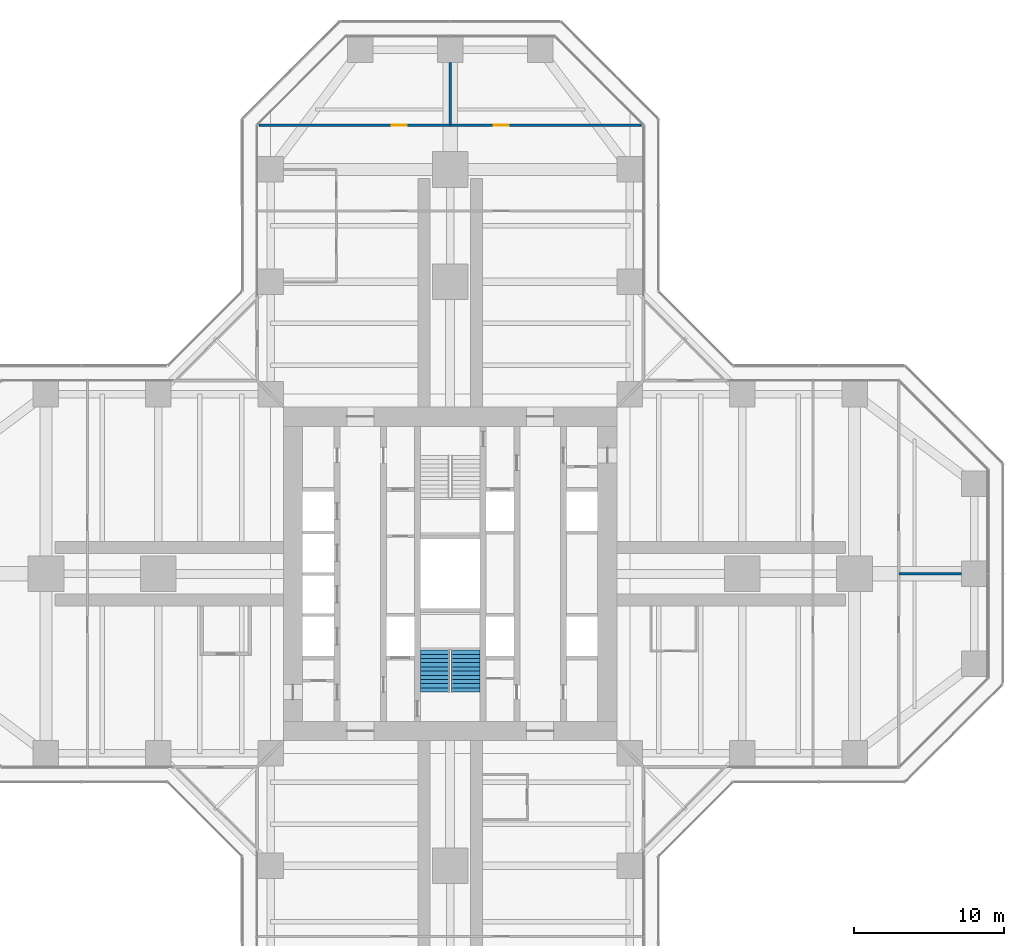
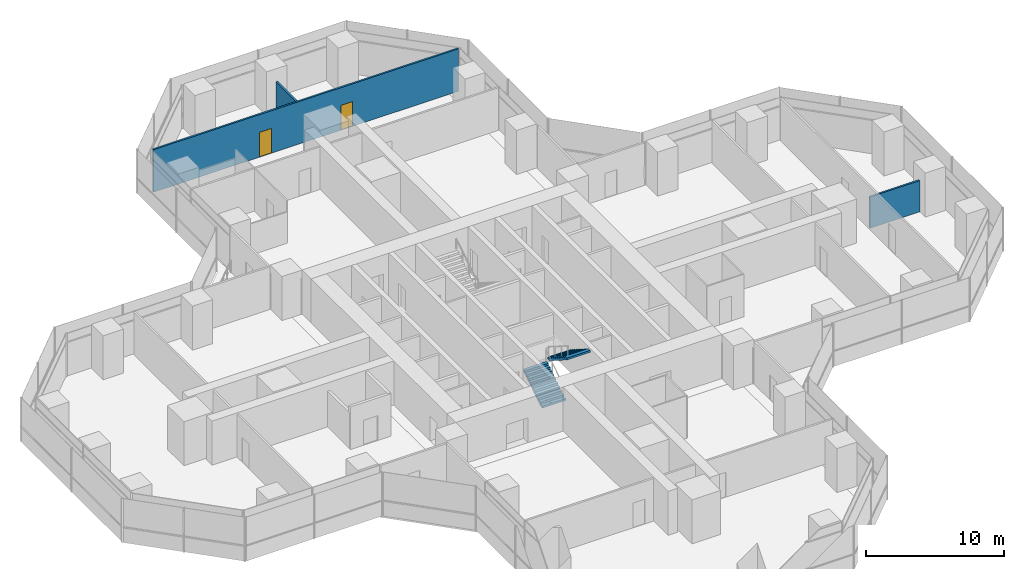
# One storey, part 20 of 22: 3 walls, 2 doors, 2 stair flights, 2 openings, 1 element without a shape of its own.
"""IFC4 building model written with IfcOpenShell, lengths in metres."""

from ifc_helpers import new_model, si_unit, direction, frame, frame_2d, origin, place, context, subcontext, project, spatial, polyline, rectangle, outline, extrude, material, layer, layer_set, type_object, element, fill, aggregate, save


model = new_model("IFC4")

# Units and contexts
model_context = context("Model", 3, precision=1e-05, world=origin(), true_north=direction((0.0, 1.0)))
body_context = subcontext(model_context, "Body", "Model", "MODEL_VIEW")
ifc_project = project(units=[si_unit("LENGTHUNIT", "METRE"), si_unit("AREAUNIT", "SQUARE_METRE"), si_unit("VOLUMEUNIT", "CUBIC_METRE"), si_unit("PLANEANGLEUNIT", "RADIAN"), si_unit("MASSUNIT", "GRAM", prefix="KILO")], contexts=[model_context])

# Site, building, storey
site_placement = place(None, origin())
site = spatial("IfcSite", under=ifc_project, at=site_placement, CompositionType="ELEMENT")
building_placement = place(site_placement, origin())
building = spatial("IfcBuilding", under=site, at=building_placement, Name="Mizan Broadcast Tower", CompositionType="ELEMENT")
storey_placement = place(building_placement, frame((0.0, 0.0, 105.89990234375)))
storey = spatial("IfcBuildingStorey", under=building, at=storey_placement, Name="L23", CompositionType="ELEMENT", Elevation=105.89990234375)

# Wall
ifc_material_1 = material(Name="Gypsum board on steel studs", Category="steel")
ifc_layer = layer(ifc_material_1, 0.14990234375)
ifc_layer_set = layer_set([ifc_layer], Name="Gypsum board on steel studs")
wall_type = type_object("IfcWallType", Name="PARTITION 150", PredefinedType="PARTITIONING", material=ifc_layer_set)
wall_1_placement = place(storey_placement, frame((29.958984375, 0.0, 0.0), z_axis=(0.0, 0.0, 1.0), x_axis=(1.0, 0.0, 0.0)))
element("IfcWall", 1, at=wall_1_placement, inside=storey, type_object=wall_type, Name="Partition PT/EES", PredefinedType="PARTITIONING", context=body_context, shape_type="SweptSolid", body=[
    extrude(rectangle(XDim=4.19091796875, YDim=0.14990234375, at=frame_2d((2.095458984375, 0.0))), origin(), (0.0, 0.0, 1.0), 2.77001953125),
])

# Wall, openings, doors
wall_2_placement = place(storey_placement, frame((12.786376953125, 29.958984375, 0.0), z_axis=(0.0, 0.0, 1.0), x_axis=(-1.0, 0.0, 0.0)))
wall_2 = element("IfcWall", 2, at=wall_2_placement, inside=storey, type_object=wall_type, Name="Partition PT/NX2", PredefinedType="PARTITIONING", context=body_context, shape_type="SweptSolid", body=[
    extrude(rectangle(XDim=25.57275390625, YDim=0.14990234375, at=frame_2d((12.786376953125, 0.0))), origin(), (0.0, 0.0, 1.0), 3.77001953125),
])
opening_1_placement = place(wall_2_placement, frame((15.6865234375, 0.0, 0.0)))
opening_1 = element("IfcOpeningElement", 3, at=opening_1_placement, cuts=wall_2, Name="Opening D10", PredefinedType="OPENING", context=body_context, shape_type="SweptSolid", body=[
    extrude(rectangle(XDim=1.0, YDim=2.199951171875, at=frame_2d((0.5, 1.10009765625))), frame((0.0, 0.0849609375, 0.0), z_axis=(0.0, -1.0, 0.0), x_axis=(1.0, 0.0, 0.0)), (0.0, 0.0, 1.0), 0.169921875),
])
opening_2_placement = place(wall_2_placement, frame((8.886474609375, 0.0, 0.0)))
opening_2 = element("IfcOpeningElement", 4, at=opening_2_placement, cuts=wall_2, Name="Opening D10", PredefinedType="OPENING", context=body_context, shape_type="SweptSolid", body=[
    extrude(rectangle(XDim=1.0, YDim=2.199951171875, at=frame_2d((0.5, 1.10009765625))), frame((0.0, 0.0849609375, 0.0), z_axis=(0.0, -1.0, 0.0), x_axis=(1.0, 0.0, 0.0)), (0.0, 0.0, 1.0), 0.169921875),
])
ifc_material_2 = material(Name="Timber door leaf in aluminium frame", Category="wood")
door_type = type_object("IfcDoorType", Name="ROOM DOOR 1000", OperationType="SINGLE_SWING_LEFT", PredefinedType="DOOR", material=ifc_material_2)
door_1_placement = place(opening_1_placement, origin())
door_1 = element("IfcDoor", 5, at=door_1_placement, inside=storey, type_object=door_type, Name="Open office door", OperationType="SINGLE_SWING_RIGHT", OverallHeight=2.199951171875, OverallWidth=1.0, PredefinedType="DOOR", context=body_context, shape_type="SweptSolid", body=[
    extrude(rectangle(XDim=1.0, YDim=2.199951171875, at=frame_2d((0.5, 1.10009765625))), frame((0.0, 0.02490234375, 0.0), z_axis=(0.0, -1.0, 0.0), x_axis=(1.0, 0.0, 0.0)), (0.0, 0.0, 1.0), 0.050048828125),
])
fill(opening_1, door_1)
door_2_placement = place(opening_2_placement, origin())
door_2 = element("IfcDoor", 6, at=door_2_placement, inside=storey, type_object=door_type, Name="Open office door", OperationType="SINGLE_SWING_LEFT", OverallHeight=2.199951171875, OverallWidth=1.0, PredefinedType="DOOR", context=body_context, shape_type="SweptSolid", body=[
    extrude(rectangle(XDim=1.0, YDim=2.199951171875, at=frame_2d((0.5, 1.10009765625))), frame((0.0, 0.02490234375, 0.0), z_axis=(0.0, -1.0, 0.0), x_axis=(1.0, 0.0, 0.0)), (0.0, 0.0, 1.0), 0.050048828125),
])
fill(opening_2, door_2)

# Wall
wall_3_placement = place(storey_placement, frame((0.0, 29.958984375, 0.0), z_axis=(0.0, 0.0, 1.0), x_axis=(0.0, 1.0, 0.0)))
element("IfcWall", 7, at=wall_3_placement, inside=storey, type_object=wall_type, Name="Partition PT/NES", PredefinedType="PARTITIONING", context=body_context, shape_type="SweptSolid", body=[
    extrude(rectangle(XDim=4.19091796875, YDim=0.14990234375, at=frame_2d((2.095458984375, 0.0))), origin(), (0.0, 0.0, 1.0), 2.77001953125),
])

# Stair, stair flights
ifc_material_3 = material(Name="Concrete C40/50", Category="concrete")
stair_type = type_object("IfcStairType", Name="EXIT STAIR", PredefinedType="HALF_TURN_STAIR", material=ifc_material_3)
stair_placement = place(storey_placement, origin())
stair = element("IfcStair", 8, at=stair_placement, inside=storey, type_object=stair_type, Name="Stair A L23", PredefinedType="HALF_TURN_STAIR")
ifc_material_4 = material(Name="Concrete C40/50", Category="concrete")
stair_flight_type = type_object("IfcStairFlightType", Name="EXIT STAIR FLIGHT", PredefinedType="STRAIGHT", material=ifc_material_4)
stair_flight_1_placement = place(storey_placement, frame((-1.02490234375, -7.89990234375, 0.0), z_axis=(0.0, 0.0, 1.0), x_axis=(0.0, 1.0, 0.0)))
stair_flight_1 = element("IfcStairFlight", 9, at=stair_flight_1_placement, type_object=stair_flight_type, Name="A flight 1", NumberOfRisers=11, NumberOfTreads=10, PredefinedType="STRAIGHT", RiserHeight=0.177272727, TreadLength=0.28, context=body_context, shape_type="SweptSolid", body=[
    extrude(outline(polyline([(0.0, 0.0), (0.0, 0.17724609375), (0.280029296875, 0.17724609375), (0.280029296875, 0.3544921875), (0.56005859375, 0.3544921875), (0.56005859375, 0.53173828125), (0.840087890625, 0.53173828125), (0.840087890625, 0.708984375), (1.1201171875, 0.708984375), (1.1201171875, 0.886474609375), (1.39990234375, 0.886474609375), (1.39990234375, 1.063720703125), (1.679931640625, 1.063720703125), (1.679931640625, 1.240966796875), (1.9599609375, 1.240966796875), (1.9599609375, 1.418212890625), (2.239990234375, 1.418212890625), (2.239990234375, 1.595458984375), (2.52001953125, 1.595458984375), (2.52001953125, 1.772705078125), (2.800048828125, 1.772705078125), (2.800048828125, 1.949951171875), (2.800048828125, 1.59521484375), (0.2802734375, 0.0), (0.0, 0.0)])), frame((0.0, 0.97509765625, 0.0), z_axis=(0.0, -1.0, 0.0), x_axis=(1.0, 0.0, 0.0)), (0.0, 0.0, 1.0), 0.4873046875),
    extrude(outline(polyline([(0.0, 0.0), (0.0, 0.17724609375), (0.280029296875, 0.17724609375), (0.280029296875, 0.3544921875), (0.56005859375, 0.3544921875), (0.56005859375, 0.53173828125), (0.840087890625, 0.53173828125), (0.840087890625, 0.708984375), (1.1201171875, 0.708984375), (1.1201171875, 0.886474609375), (1.39990234375, 0.886474609375), (1.39990234375, 1.063720703125), (1.679931640625, 1.063720703125), (1.679931640625, 1.240966796875), (1.9599609375, 1.240966796875), (1.9599609375, 1.418212890625), (2.239990234375, 1.418212890625), (2.239990234375, 1.595458984375), (2.52001953125, 1.595458984375), (2.52001953125, 1.772705078125), (2.800048828125, 1.772705078125), (2.800048828125, 1.949951171875), (2.800048828125, 1.59521484375), (0.2802734375, 0.0), (0.0, 0.0)])), frame((0.0, 0.4873046875, 0.0), z_axis=(0.0, -1.0, 0.0), x_axis=(1.0, 0.0, 0.0)), (0.0, 0.0, 1.0), 0.2431640625),
    extrude(outline(polyline([(0.0, 0.0), (0.0, 0.17724609375), (0.280029296875, 0.17724609375), (0.280029296875, 0.3544921875), (0.56005859375, 0.3544921875), (0.56005859375, 0.53173828125), (0.840087890625, 0.53173828125), (0.840087890625, 0.708984375), (1.1201171875, 0.708984375), (1.1201171875, 0.886474609375), (1.39990234375, 0.886474609375), (1.39990234375, 1.063720703125), (1.679931640625, 1.063720703125), (1.679931640625, 1.240966796875), (1.9599609375, 1.240966796875), (1.9599609375, 1.418212890625), (2.239990234375, 1.418212890625), (2.239990234375, 1.595458984375), (2.52001953125, 1.595458984375), (2.52001953125, 1.772705078125), (2.800048828125, 1.772705078125), (2.800048828125, 1.949951171875), (2.800048828125, 1.59521484375), (0.2802734375, 0.0), (0.0, 0.0)])), frame((0.0, 0.24365234375, 0.0), z_axis=(0.0, -1.0, 0.0), x_axis=(1.0, 0.0, 0.0)), (0.0, 0.0, 1.0), 0.121337890625),
    extrude(outline(polyline([(0.0, 0.0), (0.0, 0.17724609375), (0.280029296875, 0.17724609375), (0.280029296875, 0.3544921875), (0.56005859375, 0.3544921875), (0.56005859375, 0.53173828125), (0.840087890625, 0.53173828125), (0.840087890625, 0.708984375), (1.1201171875, 0.708984375), (1.1201171875, 0.886474609375), (1.39990234375, 0.886474609375), (1.39990234375, 1.063720703125), (1.679931640625, 1.063720703125), (1.679931640625, 1.240966796875), (1.9599609375, 1.240966796875), (1.9599609375, 1.418212890625), (2.239990234375, 1.418212890625), (2.239990234375, 1.595458984375), (2.52001953125, 1.595458984375), (2.52001953125, 1.772705078125), (2.800048828125, 1.772705078125), (2.800048828125, 1.949951171875), (2.800048828125, 1.59521484375), (0.2802734375, 0.0), (0.0, 0.0)])), frame((0.0, 0.121826171875, 0.0), z_axis=(0.0, -1.0, 0.0), x_axis=(1.0, 0.0, 0.0)), (0.0, 0.0, 1.0), 0.060546875),
    extrude(outline(polyline([(0.0, 0.0), (0.0, 0.17724609375), (0.280029296875, 0.17724609375), (0.280029296875, 0.3544921875), (0.56005859375, 0.3544921875), (0.56005859375, 0.53173828125), (0.840087890625, 0.53173828125), (0.840087890625, 0.708984375), (1.1201171875, 0.708984375), (1.1201171875, 0.886474609375), (1.39990234375, 0.886474609375), (1.39990234375, 1.063720703125), (1.679931640625, 1.063720703125), (1.679931640625, 1.240966796875), (1.9599609375, 1.240966796875), (1.9599609375, 1.418212890625), (2.239990234375, 1.418212890625), (2.239990234375, 1.595458984375), (2.52001953125, 1.595458984375), (2.52001953125, 1.772705078125), (2.800048828125, 1.772705078125), (2.800048828125, 1.949951171875), (2.800048828125, 1.59521484375), (0.2802734375, 0.0), (0.0, 0.0)])), frame((0.0, 0.060791015625, 0.0), z_axis=(0.0, -1.0, 0.0), x_axis=(1.0, 0.0, 0.0)), (0.0, 0.0, 1.0), 0.030029296875),
    extrude(outline(polyline([(0.0, 0.0), (0.0, 0.17724609375), (0.280029296875, 0.17724609375), (0.280029296875, 0.3544921875), (0.56005859375, 0.3544921875), (0.56005859375, 0.53173828125), (0.840087890625, 0.53173828125), (0.840087890625, 0.708984375), (1.1201171875, 0.708984375), (1.1201171875, 0.886474609375), (1.39990234375, 0.886474609375), (1.39990234375, 1.063720703125), (1.679931640625, 1.063720703125), (1.679931640625, 1.240966796875), (1.9599609375, 1.240966796875), (1.9599609375, 1.418212890625), (2.239990234375, 1.418212890625), (2.239990234375, 1.595458984375), (2.52001953125, 1.595458984375), (2.52001953125, 1.772705078125), (2.800048828125, 1.772705078125), (2.800048828125, 1.949951171875), (2.800048828125, 1.59521484375), (0.2802734375, 0.0), (0.0, 0.0)])), frame((0.0, 0.0302734375, 0.0), z_axis=(0.0, -1.0, 0.0), x_axis=(1.0, 0.0, 0.0)), (0.0, 0.0, 1.0), 0.060302734375),
    extrude(outline(polyline([(0.0, 0.0), (0.0, 0.17724609375), (0.280029296875, 0.17724609375), (0.280029296875, 0.3544921875), (0.56005859375, 0.3544921875), (0.56005859375, 0.53173828125), (0.840087890625, 0.53173828125), (0.840087890625, 0.708984375), (1.1201171875, 0.708984375), (1.1201171875, 0.886474609375), (1.39990234375, 0.886474609375), (1.39990234375, 1.063720703125), (1.679931640625, 1.063720703125), (1.679931640625, 1.240966796875), (1.9599609375, 1.240966796875), (1.9599609375, 1.418212890625), (2.239990234375, 1.418212890625), (2.239990234375, 1.595458984375), (2.52001953125, 1.595458984375), (2.52001953125, 1.772705078125), (2.800048828125, 1.772705078125), (2.800048828125, 1.949951171875), (2.800048828125, 1.59521484375), (0.2802734375, 0.0), (0.0, 0.0)])), frame((0.0, -0.030517578125, 0.0), z_axis=(0.0, -1.0, 0.0), x_axis=(1.0, 0.0, 0.0)), (0.0, 0.0, 1.0), 0.030029296875),
    extrude(outline(polyline([(0.0, 0.0), (0.0, 0.17724609375), (0.280029296875, 0.17724609375), (0.280029296875, 0.3544921875), (0.56005859375, 0.3544921875), (0.56005859375, 0.53173828125), (0.840087890625, 0.53173828125), (0.840087890625, 0.708984375), (1.1201171875, 0.708984375), (1.1201171875, 0.886474609375), (1.39990234375, 0.886474609375), (1.39990234375, 1.063720703125), (1.679931640625, 1.063720703125), (1.679931640625, 1.240966796875), (1.9599609375, 1.240966796875), (1.9599609375, 1.418212890625), (2.239990234375, 1.418212890625), (2.239990234375, 1.595458984375), (2.52001953125, 1.595458984375), (2.52001953125, 1.772705078125), (2.800048828125, 1.772705078125), (2.800048828125, 1.949951171875), (2.800048828125, 1.59521484375), (0.2802734375, 0.0), (0.0, 0.0)])), frame((0.0, -0.06103515625, 0.0), z_axis=(0.0, -1.0, 0.0), x_axis=(1.0, 0.0, 0.0)), (0.0, 0.0, 1.0), 0.060546875),
    extrude(outline(polyline([(0.0, 0.0), (0.0, 0.17724609375), (0.280029296875, 0.17724609375), (0.280029296875, 0.3544921875), (0.56005859375, 0.3544921875), (0.56005859375, 0.53173828125), (0.840087890625, 0.53173828125), (0.840087890625, 0.708984375), (1.1201171875, 0.708984375), (1.1201171875, 0.886474609375), (1.39990234375, 0.886474609375), (1.39990234375, 1.063720703125), (1.679931640625, 1.063720703125), (1.679931640625, 1.240966796875), (1.9599609375, 1.240966796875), (1.9599609375, 1.418212890625), (2.239990234375, 1.418212890625), (2.239990234375, 1.595458984375), (2.52001953125, 1.595458984375), (2.52001953125, 1.772705078125), (2.800048828125, 1.772705078125), (2.800048828125, 1.949951171875), (2.800048828125, 1.59521484375), (0.2802734375, 0.0), (0.0, 0.0)])), frame((0.0, -0.1220703125, 0.0), z_axis=(0.0, -1.0, 0.0), x_axis=(1.0, 0.0, 0.0)), (0.0, 0.0, 1.0), 0.121337890625),
    extrude(outline(polyline([(0.0, 0.0), (0.0, 0.17724609375), (0.280029296875, 0.17724609375), (0.280029296875, 0.3544921875), (0.56005859375, 0.3544921875), (0.56005859375, 0.53173828125), (0.840087890625, 0.53173828125), (0.840087890625, 0.708984375), (1.1201171875, 0.708984375), (1.1201171875, 0.886474609375), (1.39990234375, 0.886474609375), (1.39990234375, 1.063720703125), (1.679931640625, 1.063720703125), (1.679931640625, 1.240966796875), (1.9599609375, 1.240966796875), (1.9599609375, 1.418212890625), (2.239990234375, 1.418212890625), (2.239990234375, 1.595458984375), (2.52001953125, 1.595458984375), (2.52001953125, 1.772705078125), (2.800048828125, 1.772705078125), (2.800048828125, 1.949951171875), (2.800048828125, 1.59521484375), (0.2802734375, 0.0), (0.0, 0.0)])), frame((0.0, -0.243896484375, 0.0), z_axis=(0.0, -1.0, 0.0), x_axis=(1.0, 0.0, 0.0)), (0.0, 0.0, 1.0), 0.2431640625),
    extrude(outline(polyline([(0.0, 0.0), (0.0, 0.17724609375), (0.280029296875, 0.17724609375), (0.280029296875, 0.3544921875), (0.56005859375, 0.3544921875), (0.56005859375, 0.53173828125), (0.840087890625, 0.53173828125), (0.840087890625, 0.708984375), (1.1201171875, 0.708984375), (1.1201171875, 0.886474609375), (1.39990234375, 0.886474609375), (1.39990234375, 1.063720703125), (1.679931640625, 1.063720703125), (1.679931640625, 1.240966796875), (1.9599609375, 1.240966796875), (1.9599609375, 1.418212890625), (2.239990234375, 1.418212890625), (2.239990234375, 1.595458984375), (2.52001953125, 1.595458984375), (2.52001953125, 1.772705078125), (2.800048828125, 1.772705078125), (2.800048828125, 1.949951171875), (2.800048828125, 1.59521484375), (0.2802734375, 0.0), (0.0, 0.0)])), frame((0.0, -0.487548828125, 0.0), z_axis=(0.0, -1.0, 0.0), x_axis=(1.0, 0.0, 0.0)), (0.0, 0.0, 1.0), 0.4873046875),
])
stair_flight_2_placement = place(storey_placement, frame((1.02490234375, -5.10009765625, 1.9501953125), z_axis=(0.0, 0.0, 1.0), x_axis=(0.0, -1.0, 0.0)))
stair_flight_2 = element("IfcStairFlight", 10, at=stair_flight_2_placement, type_object=stair_flight_type, Name="A flight 2", NumberOfRisers=11, NumberOfTreads=10, PredefinedType="STRAIGHT", RiserHeight=0.177272727, TreadLength=0.28, context=body_context, shape_type="SweptSolid", body=[
    extrude(outline(polyline([(0.0, 0.0), (0.0, 0.17724609375), (0.280029296875, 0.17724609375), (0.280029296875, 0.3544921875), (0.56005859375, 0.3544921875), (0.56005859375, 0.53173828125), (0.840087890625, 0.53173828125), (0.840087890625, 0.708984375), (1.1201171875, 0.708984375), (1.1201171875, 0.886474609375), (1.39990234375, 0.886474609375), (1.39990234375, 1.063720703125), (1.679931640625, 1.063720703125), (1.679931640625, 1.240966796875), (1.9599609375, 1.240966796875), (1.9599609375, 1.418212890625), (2.239990234375, 1.418212890625), (2.239990234375, 1.595458984375), (2.52001953125, 1.595458984375), (2.52001953125, 1.772705078125), (2.800048828125, 1.772705078125), (2.800048828125, 1.949951171875), (2.800048828125, 1.59521484375), (0.2802734375, 0.0), (0.0, 0.0)])), frame((0.0, 0.97509765625, 0.0), z_axis=(0.0, -1.0, 0.0), x_axis=(1.0, 0.0, 0.0)), (0.0, 0.0, 1.0), 0.4873046875),
    extrude(outline(polyline([(0.0, 0.0), (0.0, 0.17724609375), (0.280029296875, 0.17724609375), (0.280029296875, 0.3544921875), (0.56005859375, 0.3544921875), (0.56005859375, 0.53173828125), (0.840087890625, 0.53173828125), (0.840087890625, 0.708984375), (1.1201171875, 0.708984375), (1.1201171875, 0.886474609375), (1.39990234375, 0.886474609375), (1.39990234375, 1.063720703125), (1.679931640625, 1.063720703125), (1.679931640625, 1.240966796875), (1.9599609375, 1.240966796875), (1.9599609375, 1.418212890625), (2.239990234375, 1.418212890625), (2.239990234375, 1.595458984375), (2.52001953125, 1.595458984375), (2.52001953125, 1.772705078125), (2.800048828125, 1.772705078125), (2.800048828125, 1.949951171875), (2.800048828125, 1.59521484375), (0.2802734375, 0.0), (0.0, 0.0)])), frame((0.0, 0.4873046875, 0.0), z_axis=(0.0, -1.0, 0.0), x_axis=(1.0, 0.0, 0.0)), (0.0, 0.0, 1.0), 0.2431640625),
    extrude(outline(polyline([(0.0, 0.0), (0.0, 0.17724609375), (0.280029296875, 0.17724609375), (0.280029296875, 0.3544921875), (0.56005859375, 0.3544921875), (0.56005859375, 0.53173828125), (0.840087890625, 0.53173828125), (0.840087890625, 0.708984375), (1.1201171875, 0.708984375), (1.1201171875, 0.886474609375), (1.39990234375, 0.886474609375), (1.39990234375, 1.063720703125), (1.679931640625, 1.063720703125), (1.679931640625, 1.240966796875), (1.9599609375, 1.240966796875), (1.9599609375, 1.418212890625), (2.239990234375, 1.418212890625), (2.239990234375, 1.595458984375), (2.52001953125, 1.595458984375), (2.52001953125, 1.772705078125), (2.800048828125, 1.772705078125), (2.800048828125, 1.949951171875), (2.800048828125, 1.59521484375), (0.2802734375, 0.0), (0.0, 0.0)])), frame((0.0, 0.24365234375, 0.0), z_axis=(0.0, -1.0, 0.0), x_axis=(1.0, 0.0, 0.0)), (0.0, 0.0, 1.0), 0.121337890625),
    extrude(outline(polyline([(0.0, 0.0), (0.0, 0.17724609375), (0.280029296875, 0.17724609375), (0.280029296875, 0.3544921875), (0.56005859375, 0.3544921875), (0.56005859375, 0.53173828125), (0.840087890625, 0.53173828125), (0.840087890625, 0.708984375), (1.1201171875, 0.708984375), (1.1201171875, 0.886474609375), (1.39990234375, 0.886474609375), (1.39990234375, 1.063720703125), (1.679931640625, 1.063720703125), (1.679931640625, 1.240966796875), (1.9599609375, 1.240966796875), (1.9599609375, 1.418212890625), (2.239990234375, 1.418212890625), (2.239990234375, 1.595458984375), (2.52001953125, 1.595458984375), (2.52001953125, 1.772705078125), (2.800048828125, 1.772705078125), (2.800048828125, 1.949951171875), (2.800048828125, 1.59521484375), (0.2802734375, 0.0), (0.0, 0.0)])), frame((0.0, 0.121826171875, 0.0), z_axis=(0.0, -1.0, 0.0), x_axis=(1.0, 0.0, 0.0)), (0.0, 0.0, 1.0), 0.060546875),
    extrude(outline(polyline([(0.0, 0.0), (0.0, 0.17724609375), (0.280029296875, 0.17724609375), (0.280029296875, 0.3544921875), (0.56005859375, 0.3544921875), (0.56005859375, 0.53173828125), (0.840087890625, 0.53173828125), (0.840087890625, 0.708984375), (1.1201171875, 0.708984375), (1.1201171875, 0.886474609375), (1.39990234375, 0.886474609375), (1.39990234375, 1.063720703125), (1.679931640625, 1.063720703125), (1.679931640625, 1.240966796875), (1.9599609375, 1.240966796875), (1.9599609375, 1.418212890625), (2.239990234375, 1.418212890625), (2.239990234375, 1.595458984375), (2.52001953125, 1.595458984375), (2.52001953125, 1.772705078125), (2.800048828125, 1.772705078125), (2.800048828125, 1.949951171875), (2.800048828125, 1.59521484375), (0.2802734375, 0.0), (0.0, 0.0)])), frame((0.0, 0.060791015625, 0.0), z_axis=(0.0, -1.0, 0.0), x_axis=(1.0, 0.0, 0.0)), (0.0, 0.0, 1.0), 0.030029296875),
    extrude(outline(polyline([(0.0, 0.0), (0.0, 0.17724609375), (0.280029296875, 0.17724609375), (0.280029296875, 0.3544921875), (0.56005859375, 0.3544921875), (0.56005859375, 0.53173828125), (0.840087890625, 0.53173828125), (0.840087890625, 0.708984375), (1.1201171875, 0.708984375), (1.1201171875, 0.886474609375), (1.39990234375, 0.886474609375), (1.39990234375, 1.063720703125), (1.679931640625, 1.063720703125), (1.679931640625, 1.240966796875), (1.9599609375, 1.240966796875), (1.9599609375, 1.418212890625), (2.239990234375, 1.418212890625), (2.239990234375, 1.595458984375), (2.52001953125, 1.595458984375), (2.52001953125, 1.772705078125), (2.800048828125, 1.772705078125), (2.800048828125, 1.949951171875), (2.800048828125, 1.59521484375), (0.2802734375, 0.0), (0.0, 0.0)])), frame((0.0, 0.0302734375, 0.0), z_axis=(0.0, -1.0, 0.0), x_axis=(1.0, 0.0, 0.0)), (0.0, 0.0, 1.0), 0.060302734375),
    extrude(outline(polyline([(0.0, 0.0), (0.0, 0.17724609375), (0.280029296875, 0.17724609375), (0.280029296875, 0.3544921875), (0.56005859375, 0.3544921875), (0.56005859375, 0.53173828125), (0.840087890625, 0.53173828125), (0.840087890625, 0.708984375), (1.1201171875, 0.708984375), (1.1201171875, 0.886474609375), (1.39990234375, 0.886474609375), (1.39990234375, 1.063720703125), (1.679931640625, 1.063720703125), (1.679931640625, 1.240966796875), (1.9599609375, 1.240966796875), (1.9599609375, 1.418212890625), (2.239990234375, 1.418212890625), (2.239990234375, 1.595458984375), (2.52001953125, 1.595458984375), (2.52001953125, 1.772705078125), (2.800048828125, 1.772705078125), (2.800048828125, 1.949951171875), (2.800048828125, 1.59521484375), (0.2802734375, 0.0), (0.0, 0.0)])), frame((0.0, -0.030517578125, 0.0), z_axis=(0.0, -1.0, 0.0), x_axis=(1.0, 0.0, 0.0)), (0.0, 0.0, 1.0), 0.030029296875),
    extrude(outline(polyline([(0.0, 0.0), (0.0, 0.17724609375), (0.280029296875, 0.17724609375), (0.280029296875, 0.3544921875), (0.56005859375, 0.3544921875), (0.56005859375, 0.53173828125), (0.840087890625, 0.53173828125), (0.840087890625, 0.708984375), (1.1201171875, 0.708984375), (1.1201171875, 0.886474609375), (1.39990234375, 0.886474609375), (1.39990234375, 1.063720703125), (1.679931640625, 1.063720703125), (1.679931640625, 1.240966796875), (1.9599609375, 1.240966796875), (1.9599609375, 1.418212890625), (2.239990234375, 1.418212890625), (2.239990234375, 1.595458984375), (2.52001953125, 1.595458984375), (2.52001953125, 1.772705078125), (2.800048828125, 1.772705078125), (2.800048828125, 1.949951171875), (2.800048828125, 1.59521484375), (0.2802734375, 0.0), (0.0, 0.0)])), frame((0.0, -0.06103515625, 0.0), z_axis=(0.0, -1.0, 0.0), x_axis=(1.0, 0.0, 0.0)), (0.0, 0.0, 1.0), 0.060546875),
    extrude(outline(polyline([(0.0, 0.0), (0.0, 0.17724609375), (0.280029296875, 0.17724609375), (0.280029296875, 0.3544921875), (0.56005859375, 0.3544921875), (0.56005859375, 0.53173828125), (0.840087890625, 0.53173828125), (0.840087890625, 0.708984375), (1.1201171875, 0.708984375), (1.1201171875, 0.886474609375), (1.39990234375, 0.886474609375), (1.39990234375, 1.063720703125), (1.679931640625, 1.063720703125), (1.679931640625, 1.240966796875), (1.9599609375, 1.240966796875), (1.9599609375, 1.418212890625), (2.239990234375, 1.418212890625), (2.239990234375, 1.595458984375), (2.52001953125, 1.595458984375), (2.52001953125, 1.772705078125), (2.800048828125, 1.772705078125), (2.800048828125, 1.949951171875), (2.800048828125, 1.59521484375), (0.2802734375, 0.0), (0.0, 0.0)])), frame((0.0, -0.1220703125, 0.0), z_axis=(0.0, -1.0, 0.0), x_axis=(1.0, 0.0, 0.0)), (0.0, 0.0, 1.0), 0.121337890625),
    extrude(outline(polyline([(0.0, 0.0), (0.0, 0.17724609375), (0.280029296875, 0.17724609375), (0.280029296875, 0.3544921875), (0.56005859375, 0.3544921875), (0.56005859375, 0.53173828125), (0.840087890625, 0.53173828125), (0.840087890625, 0.708984375), (1.1201171875, 0.708984375), (1.1201171875, 0.886474609375), (1.39990234375, 0.886474609375), (1.39990234375, 1.063720703125), (1.679931640625, 1.063720703125), (1.679931640625, 1.240966796875), (1.9599609375, 1.240966796875), (1.9599609375, 1.418212890625), (2.239990234375, 1.418212890625), (2.239990234375, 1.595458984375), (2.52001953125, 1.595458984375), (2.52001953125, 1.772705078125), (2.800048828125, 1.772705078125), (2.800048828125, 1.949951171875), (2.800048828125, 1.59521484375), (0.2802734375, 0.0), (0.0, 0.0)])), frame((0.0, -0.243896484375, 0.0), z_axis=(0.0, -1.0, 0.0), x_axis=(1.0, 0.0, 0.0)), (0.0, 0.0, 1.0), 0.2431640625),
    extrude(outline(polyline([(0.0, 0.0), (0.0, 0.17724609375), (0.280029296875, 0.17724609375), (0.280029296875, 0.3544921875), (0.56005859375, 0.3544921875), (0.56005859375, 0.53173828125), (0.840087890625, 0.53173828125), (0.840087890625, 0.708984375), (1.1201171875, 0.708984375), (1.1201171875, 0.886474609375), (1.39990234375, 0.886474609375), (1.39990234375, 1.063720703125), (1.679931640625, 1.063720703125), (1.679931640625, 1.240966796875), (1.9599609375, 1.240966796875), (1.9599609375, 1.418212890625), (2.239990234375, 1.418212890625), (2.239990234375, 1.595458984375), (2.52001953125, 1.595458984375), (2.52001953125, 1.772705078125), (2.800048828125, 1.772705078125), (2.800048828125, 1.949951171875), (2.800048828125, 1.59521484375), (0.2802734375, 0.0), (0.0, 0.0)])), frame((0.0, -0.487548828125, 0.0), z_axis=(0.0, -1.0, 0.0), x_axis=(1.0, 0.0, 0.0)), (0.0, 0.0, 1.0), 0.4873046875),
])
aggregate(stair, [stair_flight_1, stair_flight_2])

save(model, "model.ifc")
